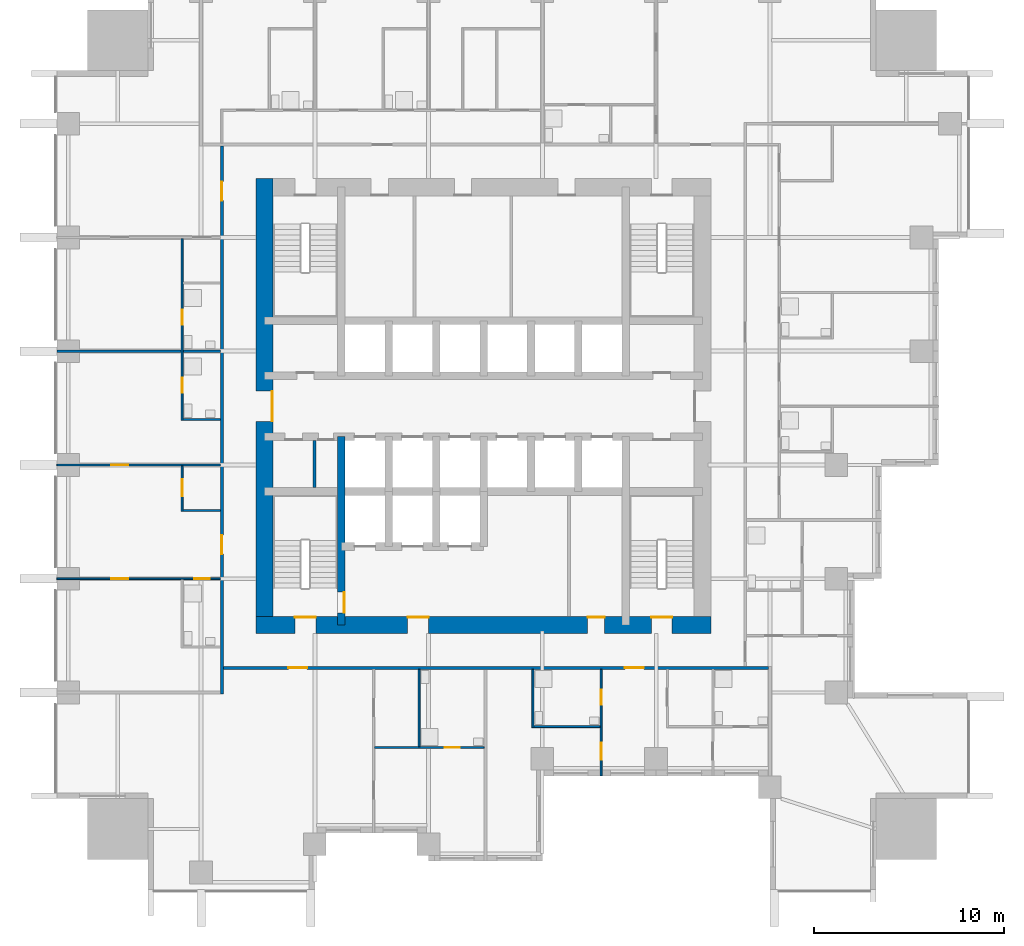
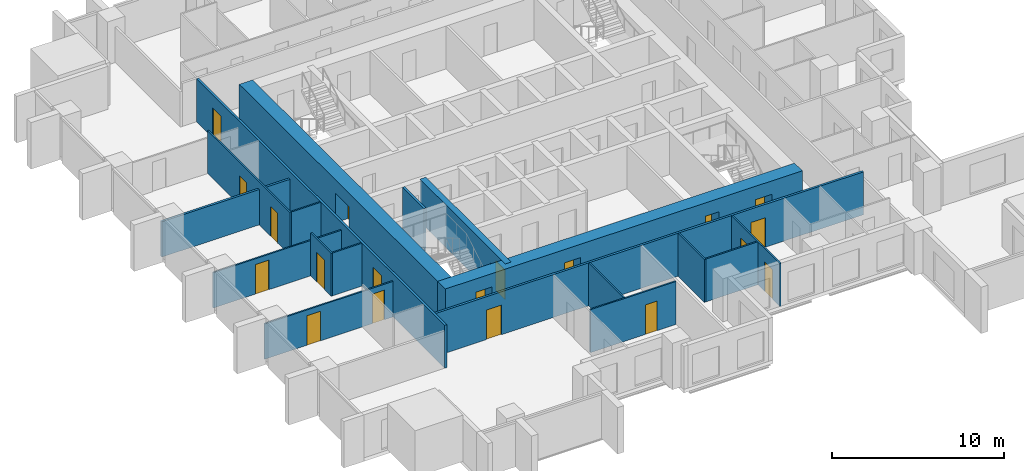
# One storey, part 4 of 10: 19 doors, 18 walls, 19 openings.
"""IFC4 building model written with IfcOpenShell, lengths in metres."""

from ifc_helpers import new_model, si_unit, direction, frame, frame_2d, origin, place, context, subcontext, project, spatial, rectangle, extrude, material, layer, layer_set, type_object, element, fill, save


model = new_model("IFC4")

# Units and contexts
model_context = context("Model", 3, precision=1e-05, world=origin(), true_north=direction((0.0, 1.0)))
body_context = subcontext(model_context, "Body", "Model", "MODEL_VIEW")
ifc_project = project(units=[si_unit("LENGTHUNIT", "METRE"), si_unit("AREAUNIT", "SQUARE_METRE"), si_unit("VOLUMEUNIT", "CUBIC_METRE"), si_unit("PLANEANGLEUNIT", "RADIAN"), si_unit("MASSUNIT", "GRAM", prefix="KILO")], contexts=[model_context])

# Site, building, storey
site_placement = place(None, origin())
site = spatial("IfcSite", under=ifc_project, at=site_placement, CompositionType="ELEMENT")
building_placement = place(site_placement, origin())
building = spatial("IfcBuilding", under=site, at=building_placement, Name="Amberfall Residences", CompositionType="ELEMENT")
storey_placement = place(building_placement, frame((0.0, 0.0, 49.89990234375)))
storey = spatial("IfcBuildingStorey", under=building, at=storey_placement, Name="L13", CompositionType="ELEMENT", Elevation=49.89990234375)

# Wall, opening, door
ifc_material_1 = material(Name="Concrete C80", Category="concrete")
ifc_layer_1 = layer(ifc_material_1, 0.39990234375)
ifc_layer_set_1 = layer_set([ifc_layer_1], Name="Core wall 400 C80")
wall_type_1 = type_object("IfcWallType", Name="Core wall 400 C80", PredefinedType="SHEAR", material=ifc_layer_set_1)
wall_1_placement = place(storey_placement, frame((67.0, 33.949951171875, 0.0), z_axis=(0.0, 0.0, 1.0), x_axis=(0.0, 1.0, 0.0)))
wall_1 = element("IfcWall", 1, at=wall_1_placement, inside=storey, type_object=wall_type_1, Name="Core wall RW2 L13 V45S", PredefinedType="SHEAR", context=body_context, shape_type="SweptSolid", body=[
    extrude(rectangle(XDim=9.949951171875, YDim=0.39990234375, at=frame_2d((4.97509765625, 0.0))), origin(), (0.0, 0.0, 1.0), 3.050048828125),
])
opening_1_placement = place(wall_1_placement, frame((0.64990234375, 0.0, 0.0)))
opening_1 = element("IfcOpeningElement", 2, at=opening_1_placement, cuts=wall_1, Name="Opening FL1", PredefinedType="OPENING", context=body_context, shape_type="SweptSolid", body=[
    extrude(rectangle(XDim=1.10009765625, YDim=2.10009765625, at=frame_2d((0.550048828125, 1.050048828125))), frame((0.0, 0.2099609375, 0.0), z_axis=(0.0, -1.0, 0.0), x_axis=(1.0, 0.0, 0.0)), (0.0, 0.0, 1.0), 0.419921875),
])
ifc_material_2 = material(Name="Steel fire door set", Category="steel")
door_type_1 = type_object("IfcDoorType", Name="Firefighting lobby door 1100 x 2100", OperationType="SINGLE_SWING_LEFT", PredefinedType="DOOR", material=ifc_material_2)
door_1_placement = place(opening_1_placement, origin())
door_1 = element("IfcDoor", 3, at=door_1_placement, inside=storey, type_object=door_type_1, Name="FL1 L13", OperationType="SINGLE_SWING_RIGHT", OverallHeight=2.10009765625, OverallWidth=1.10009765625, PredefinedType="DOOR", context=body_context, shape_type="SweptSolid", body=[
    extrude(rectangle(XDim=1.10009765625, YDim=2.10009765625, at=frame_2d((0.550048828125, 1.050048828125))), frame((0.0, -0.1376953125, 0.0), z_axis=(0.0, -1.0, 0.0), x_axis=(1.0, 0.0, 0.0)), (0.0, 0.0, 1.0), 0.050048828125),
])
fill(opening_1, door_1)

# Wall, openings, doors
ifc_layer_2 = layer(ifc_material_1, 0.89990234375)
ifc_layer_set_2 = layer_set([ifc_layer_2], Name="Core wall 900 C80")
wall_type_2 = type_object("IfcWallType", Name="Core wall 900 C80", PredefinedType="SHEAR", material=ifc_layer_set_2)
wall_2_placement = place(storey_placement, frame((62.5, 33.949951171875, 0.0), z_axis=(0.0, 0.0, 1.0), x_axis=(1.0, 0.0, 0.0)))
wall_2 = element("IfcWall", 4, at=wall_2_placement, inside=storey, type_object=wall_type_2, Name="Core wall RW1 L13 OS", PredefinedType="SHEAR", context=body_context, shape_type="SweptSolid", body=[
    extrude(rectangle(XDim=24.0, YDim=0.89990234375, at=frame_2d((12.0, 0.0))), origin(), (0.0, 0.0, 1.0), 3.050048828125),
])
opening_2_placement = place(wall_2_placement, frame((2.050048828125, 0.0, 0.0)))
opening_2 = element("IfcOpeningElement", 5, at=opening_2_placement, cuts=wall_2, Name="Opening SD1", PredefinedType="OPENING", context=body_context, shape_type="SweptSolid", body=[
    extrude(rectangle(XDim=1.10009765625, YDim=2.10009765625, at=frame_2d((0.550048828125, 1.050048828125))), frame((0.0, 0.4599609375, 0.0), z_axis=(0.0, -1.0, 0.0), x_axis=(1.0, 0.0, 0.0)), (0.0, 0.0, 1.0), 0.919921875),
])
opening_3_placement = place(wall_2_placement, frame((20.85009765625, 0.0, 0.0)))
opening_3 = element("IfcOpeningElement", 6, at=opening_3_placement, cuts=wall_2, Name="Opening SD1", PredefinedType="OPENING", context=body_context, shape_type="SweptSolid", body=[
    extrude(rectangle(XDim=1.10009765625, YDim=2.10009765625, at=frame_2d((0.550048828125, 1.050048828125))), frame((0.0, 0.4599609375, 0.0), z_axis=(0.0, -1.0, 0.0), x_axis=(1.0, 0.0, 0.0)), (0.0, 0.0, 1.0), 0.919921875),
])
opening_4_placement = place(wall_2_placement, frame((8.0, 0.0, 0.0)))
opening_4 = element("IfcOpeningElement", 7, at=opening_4_placement, cuts=wall_2, Name="Opening FL1", PredefinedType="OPENING", context=body_context, shape_type="SweptSolid", body=[
    extrude(rectangle(XDim=1.10009765625, YDim=2.10009765625, at=frame_2d((0.550048828125, 1.050048828125))), frame((0.0, 0.4599609375, 0.0), z_axis=(0.0, -1.0, 0.0), x_axis=(1.0, 0.0, 0.0)), (0.0, 0.0, 1.0), 0.919921875),
])
opening_5_placement = place(wall_2_placement, frame((17.487548828125, 0.0, 0.0)))
opening_5 = element("IfcOpeningElement", 8, at=opening_5_placement, cuts=wall_2, Name="Opening RD1", PredefinedType="OPENING", context=body_context, shape_type="SweptSolid", body=[
    extrude(rectangle(XDim=0.89990234375, YDim=2.10009765625, at=frame_2d((0.449951171875, 1.050048828125))), frame((0.0, 0.4599609375, 0.0), z_axis=(0.0, -1.0, 0.0), x_axis=(1.0, 0.0, 0.0)), (0.0, 0.0, 1.0), 0.919921875),
])
door_2_placement = place(opening_4_placement, origin())
door_2 = element("IfcDoor", 9, at=door_2_placement, inside=storey, type_object=door_type_1, Name="FL1 L13", OperationType="SINGLE_SWING_LEFT", OverallHeight=2.10009765625, OverallWidth=1.10009765625, PredefinedType="DOOR", context=body_context, shape_type="SweptSolid", body=[
    extrude(rectangle(XDim=1.10009765625, YDim=2.10009765625, at=frame_2d((0.550048828125, 1.050048828125))), frame((0.0, 0.4375, 0.0), z_axis=(0.0, -1.0, 0.0), x_axis=(1.0, 0.0, 0.0)), (0.0, 0.0, 1.0), 0.050048828125),
])
fill(opening_4, door_2)
door_type_2 = type_object("IfcDoorType", Name="Service room door 900 x 2100", OperationType="SINGLE_SWING_LEFT", PredefinedType="DOOR", material=ifc_material_2)
door_3_placement = place(opening_5_placement, origin())
door_3 = element("IfcDoor", 10, at=door_3_placement, inside=storey, type_object=door_type_2, Name="RD1 L13", OperationType="SINGLE_SWING_LEFT", OverallHeight=2.10009765625, OverallWidth=0.89990234375, PredefinedType="DOOR", context=body_context, shape_type="SweptSolid", body=[
    extrude(rectangle(XDim=0.89990234375, YDim=2.10009765625, at=frame_2d((0.449951171875, 1.050048828125))), frame((0.0, 0.4375, 0.0), z_axis=(0.0, -1.0, 0.0), x_axis=(1.0, 0.0, 0.0)), (0.0, 0.0, 1.0), 0.050048828125),
])
fill(opening_5, door_3)
door_type_3 = type_object("IfcDoorType", Name="Stair door 1100 x 2100", OperationType="SINGLE_SWING_LEFT", PredefinedType="DOOR", material=ifc_material_2)
door_4_placement = place(opening_2_placement, origin())
door_4 = element("IfcDoor", 11, at=door_4_placement, inside=storey, type_object=door_type_3, Name="SD1 L13", OperationType="SINGLE_SWING_LEFT", OverallHeight=2.10009765625, OverallWidth=1.10009765625, PredefinedType="DOOR", context=body_context, shape_type="SweptSolid", body=[
    extrude(rectangle(XDim=1.10009765625, YDim=2.10009765625, at=frame_2d((0.550048828125, 1.050048828125))), frame((0.0, 0.4375, 0.0), z_axis=(0.0, -1.0, 0.0), x_axis=(1.0, 0.0, 0.0)), (0.0, 0.0, 1.0), 0.050048828125),
])
fill(opening_2, door_4)
door_5_placement = place(opening_3_placement, origin())
door_5 = element("IfcDoor", 12, at=door_5_placement, inside=storey, type_object=door_type_3, Name="SD1 L13", OperationType="SINGLE_SWING_RIGHT", OverallHeight=2.10009765625, OverallWidth=1.10009765625, PredefinedType="DOOR", context=body_context, shape_type="SweptSolid", body=[
    extrude(rectangle(XDim=1.10009765625, YDim=2.10009765625, at=frame_2d((0.550048828125, 1.050048828125))), frame((0.0, 0.4375, 0.0), z_axis=(0.0, -1.0, 0.0), x_axis=(1.0, 0.0, 0.0)), (0.0, 0.0, 1.0), 0.050048828125),
])
fill(opening_3, door_5)

# Wall, opening, door
wall_3_placement = place(storey_placement, frame((62.949951171875, 33.5, 0.0), z_axis=(0.0, 0.0, 1.0), x_axis=(0.0, 1.0, 0.0)))
wall_3 = element("IfcWall", 13, at=wall_3_placement, inside=storey, type_object=wall_type_2, Name="Core wall RW1 L13 OW", PredefinedType="SHEAR", context=body_context, shape_type="SweptSolid", body=[
    extrude(rectangle(XDim=24.0, YDim=0.89990234375, at=frame_2d((12.0, 0.0))), origin(), (0.0, 0.0, 1.0), 3.050048828125),
])
opening_6_placement = place(wall_3_placement, frame((11.199951171875, 0.0, 0.0)))
opening_6 = element("IfcOpeningElement", 14, at=opening_6_placement, cuts=wall_3, Name="Opening LB1", PredefinedType="OPENING", context=body_context, shape_type="SweptSolid", body=[
    extrude(rectangle(XDim=1.60009765625, YDim=2.10009765625, at=frame_2d((0.800048828125, 1.050048828125))), frame((0.0, 0.4599609375, 0.0), z_axis=(0.0, -1.0, 0.0), x_axis=(1.0, 0.0, 0.0)), (0.0, 0.0, 1.0), 0.919921875),
])
door_type_4 = type_object("IfcDoorType", Name="Lift lobby double door 1600 x 2100", OperationType="DOUBLE_DOOR_SINGLE_SWING", PredefinedType="DOOR", material=ifc_material_2)
door_6_placement = place(opening_6_placement, origin())
door_6 = element("IfcDoor", 15, at=door_6_placement, inside=storey, type_object=door_type_4, Name="LB1 L13", OperationType="DOUBLE_DOOR_SINGLE_SWING", OverallHeight=2.10009765625, OverallWidth=1.60009765625, PredefinedType="DOOR", context=body_context, shape_type="SweptSolid", body=[
    extrude(rectangle(XDim=1.60009765625, YDim=2.10009765625, at=frame_2d((0.800048828125, 1.050048828125))), frame((0.0, -0.3876953125, 0.0), z_axis=(0.0, -1.0, 0.0), x_axis=(1.0, 0.0, 0.0)), (0.0, 0.0, 1.0), 0.050048828125),
])
fill(opening_6, door_6)

ifc_material_3 = material(Name="Gypsum board on metal stud")
ifc_layer_3 = layer(ifc_material_3, 0.10009765625)
ifc_layer_set_3 = layer_set([ifc_layer_3], Name="Flat partition 100")
wall_type_3 = type_object("IfcWallType", Name="Flat partition 100", PredefinedType="PARTITIONING", material=ifc_layer_set_3)
wall_4_placement = place(storey_placement, frame((58.60009765625, 42.35009765625, 0.0), z_axis=(0.0, 0.0, 1.0), x_axis=(0.0, -1.0, 0.0)))
wall_4 = element("IfcWall", 16, at=wall_4_placement, inside=storey, type_object=wall_type_3, Name="Partition 002", PredefinedType="PARTITIONING", context=body_context, shape_type="SweptSolid", body=[
    extrude(rectangle(XDim=2.400146484375, YDim=0.10009765625, at=frame_2d((1.2001953125, 0.0))), origin(), (0.0, 0.0, 1.0), 3.050048828125),
])
opening_7_placement = place(wall_4_placement, frame((0.699951171875, 0.0, 0.0)))
opening_7 = element("IfcOpeningElement", 17, at=opening_7_placement, cuts=wall_4, Name="Opening D41", PredefinedType="OPENING", context=body_context, shape_type="SweptSolid", body=[
    extrude(rectangle(XDim=0.89990234375, YDim=2.10009765625, at=frame_2d((0.449951171875, 1.050048828125))), frame((0.0, 0.06005859375, 0.0), z_axis=(0.0, -1.0, 0.0), x_axis=(1.0, 0.0, 0.0)), (0.0, 0.0, 1.0), 0.1201171875),
])
ifc_material_4 = material(Name="Timber", Category="wood")
door_type_5 = type_object("IfcDoorType", Name="Internal door 900 x 2100", OperationType="SINGLE_SWING_LEFT", PredefinedType="DOOR", material=ifc_material_4)
door_7_placement = place(opening_7_placement, origin())
door_7 = element("IfcDoor", 18, at=door_7_placement, inside=storey, type_object=door_type_5, Name="Door 1307 kitchen", OperationType="SINGLE_SWING_LEFT", OverallHeight=2.10009765625, OverallWidth=0.89990234375, PredefinedType="DOOR", context=body_context, shape_type="SweptSolid", body=[
    extrude(rectangle(XDim=0.89990234375, YDim=2.10009765625, at=frame_2d((0.449951171875, 1.050048828125))), frame((0.0, 0.02490234375, 0.0), z_axis=(0.0, -1.0, 0.0), x_axis=(1.0, 0.0, 0.0)), (0.0, 0.0, 1.0), 0.050048828125),
])
fill(opening_7, door_7)

# Wall, openings, doors
wall_5_placement = place(storey_placement, frame((58.60009765625, 54.35009765625, 0.0), z_axis=(0.0, 0.0, 1.0), x_axis=(0.0, -1.0, 0.0)))
wall_5 = element("IfcWall", 19, at=wall_5_placement, inside=storey, type_object=wall_type_3, Name="Partition 003", PredefinedType="PARTITIONING", context=body_context, shape_type="SweptSolid", body=[
    extrude(rectangle(XDim=9.60009765625, YDim=0.10009765625, at=frame_2d((4.800048828125, 0.0))), origin(), (0.0, 0.0, 1.0), 3.050048828125),
])
opening_8_placement = place(wall_5_placement, frame((7.35009765625, 0.0, 0.0)))
opening_8 = element("IfcOpeningElement", 20, at=opening_8_placement, cuts=wall_5, Name="Opening D42", PredefinedType="OPENING", context=body_context, shape_type="SweptSolid", body=[
    extrude(rectangle(XDim=0.800048828125, YDim=2.10009765625, at=frame_2d((0.39990234375, 1.050048828125))), frame((0.0, 0.06005859375, 0.0), z_axis=(0.0, -1.0, 0.0), x_axis=(1.0, 0.0, 0.0)), (0.0, 0.0, 1.0), 0.1201171875),
])
opening_9_placement = place(wall_5_placement, frame((3.75, 0.0, 0.0)))
opening_9 = element("IfcOpeningElement", 21, at=opening_9_placement, cuts=wall_5, Name="Opening D42", PredefinedType="OPENING", context=body_context, shape_type="SweptSolid", body=[
    extrude(rectangle(XDim=0.800048828125, YDim=2.10009765625, at=frame_2d((0.39990234375, 1.050048828125))), frame((0.0, 0.06005859375, 0.0), z_axis=(0.0, -1.0, 0.0), x_axis=(1.0, 0.0, 0.0)), (0.0, 0.0, 1.0), 0.1201171875),
])
door_type_6 = type_object("IfcDoorType", Name="Bathroom door 800 x 2100", OperationType="SINGLE_SWING_LEFT", PredefinedType="DOOR", material=ifc_material_4)
door_8_placement = place(opening_8_placement, origin())
door_8 = element("IfcDoor", 22, at=door_8_placement, inside=storey, type_object=door_type_6, Name="Door 1307 bath2", OperationType="SINGLE_SWING_LEFT", OverallHeight=2.10009765625, OverallWidth=0.800048828125, PredefinedType="DOOR", context=body_context, shape_type="SweptSolid", body=[
    extrude(rectangle(XDim=0.800048828125, YDim=2.10009765625, at=frame_2d((0.39990234375, 1.050048828125))), frame((0.0, 0.02490234375, 0.0), z_axis=(0.0, -1.0, 0.0), x_axis=(1.0, 0.0, 0.0)), (0.0, 0.0, 1.0), 0.050048828125),
])
fill(opening_8, door_8)
door_9_placement = place(opening_9_placement, origin())
door_9 = element("IfcDoor", 23, at=door_9_placement, inside=storey, type_object=door_type_6, Name="Door 1308 bath1", OperationType="SINGLE_SWING_LEFT", OverallHeight=2.10009765625, OverallWidth=0.800048828125, PredefinedType="DOOR", context=body_context, shape_type="SweptSolid", body=[
    extrude(rectangle(XDim=0.800048828125, YDim=2.10009765625, at=frame_2d((0.39990234375, 1.050048828125))), frame((0.0, 0.02490234375, 0.0), z_axis=(0.0, -1.0, 0.0), x_axis=(1.0, 0.0, 0.0)), (0.0, 0.0, 1.0), 0.050048828125),
])
fill(opening_9, door_9)

# Walls
wall_6_placement = place(storey_placement, frame((71.10009765625, 27.550048828125, 0.0), z_axis=(0.0, 0.0, 1.0), x_axis=(0.0, 1.0, 0.0)))
element("IfcWall", 24, at=wall_6_placement, inside=storey, type_object=wall_type_3, Name="Partition 009", PredefinedType="PARTITIONING", context=body_context, shape_type="SweptSolid", body=[
    extrude(rectangle(XDim=4.074951171875, YDim=0.10009765625, at=frame_2d((2.03759765625, 0.0))), origin(), (0.0, 0.0, 1.0), 3.050048828125),
])
wall_7_placement = place(storey_placement, frame((77.10009765625, 28.550048828125, 0.0), z_axis=(0.0, 0.0, 1.0), x_axis=(0.0, 1.0, 0.0)))
element("IfcWall", 25, at=wall_7_placement, inside=storey, type_object=wall_type_3, Name="Partition 013", PredefinedType="PARTITIONING", context=body_context, shape_type="SweptSolid", body=[
    extrude(rectangle(XDim=3.074951171875, YDim=0.10009765625, at=frame_2d((1.53759765625, 0.0))), origin(), (0.0, 0.0, 1.0), 3.050048828125),
])

# Wall, openings, doors
wall_8_placement = place(storey_placement, frame((80.699951171875, 26.0, 0.0), z_axis=(0.0, 0.0, 1.0), x_axis=(0.0, 1.0, 0.0)))
wall_8 = element("IfcWall", 26, at=wall_8_placement, inside=storey, type_object=wall_type_3, Name="Partition 014", PredefinedType="PARTITIONING", context=body_context, shape_type="SweptSolid", body=[
    extrude(rectangle(XDim=5.625, YDim=0.10009765625, at=frame_2d((2.8125, 0.0))), origin(), (0.0, 0.0, 1.0), 3.050048828125),
])
opening_10_placement = place(wall_8_placement, frame((0.85009765625, 0.0, 0.0)))
opening_10 = element("IfcOpeningElement", 27, at=opening_10_placement, cuts=wall_8, Name="Opening D41", PredefinedType="OPENING", context=body_context, shape_type="SweptSolid", body=[
    extrude(rectangle(XDim=0.89990234375, YDim=2.10009765625, at=frame_2d((0.449951171875, 1.050048828125))), frame((0.0, 0.06005859375, 0.0), z_axis=(0.0, -1.0, 0.0), x_axis=(1.0, 0.0, 0.0)), (0.0, 0.0, 1.0), 0.1201171875),
])
opening_11_placement = place(wall_8_placement, frame((3.75, 0.0, 0.0)))
opening_11 = element("IfcOpeningElement", 28, at=opening_11_placement, cuts=wall_8, Name="Opening D42", PredefinedType="OPENING", context=body_context, shape_type="SweptSolid", body=[
    extrude(rectangle(XDim=0.800048828125, YDim=2.10009765625, at=frame_2d((0.39990234375, 1.050048828125))), frame((0.0, 0.06005859375, 0.0), z_axis=(0.0, -1.0, 0.0), x_axis=(1.0, 0.0, 0.0)), (0.0, 0.0, 1.0), 0.1201171875),
])
door_10_placement = place(opening_11_placement, origin())
door_10 = element("IfcDoor", 29, at=door_10_placement, inside=storey, type_object=door_type_6, Name="Door 1302 bath1", OperationType="SINGLE_SWING_LEFT", OverallHeight=2.10009765625, OverallWidth=0.800048828125, PredefinedType="DOOR", context=body_context, shape_type="SweptSolid", body=[
    extrude(rectangle(XDim=0.800048828125, YDim=2.10009765625, at=frame_2d((0.39990234375, 1.050048828125))), frame((0.0, 0.02490234375, 0.0), z_axis=(0.0, -1.0, 0.0), x_axis=(1.0, 0.0, 0.0)), (0.0, 0.0, 1.0), 0.050048828125),
])
fill(opening_11, door_10)
door_11_placement = place(opening_10_placement, origin())
door_11 = element("IfcDoor", 30, at=door_11_placement, inside=storey, type_object=door_type_5, Name="Door 1302 bedroom1", OperationType="SINGLE_SWING_LEFT", OverallHeight=2.10009765625, OverallWidth=0.89990234375, PredefinedType="DOOR", context=body_context, shape_type="SweptSolid", body=[
    extrude(rectangle(XDim=0.89990234375, YDim=2.10009765625, at=frame_2d((0.449951171875, 1.050048828125))), frame((0.0, 0.02490234375, 0.0), z_axis=(0.0, -1.0, 0.0), x_axis=(1.0, 0.0, 0.0)), (0.0, 0.0, 1.0), 0.050048828125),
])
fill(opening_10, door_11)

# Wall
wall_9_placement = place(storey_placement, frame((58.64990234375, 44.800048828125, 0.0), z_axis=(0.0, 0.0, 1.0), x_axis=(1.0, 0.0, 0.0)))
element("IfcWall", 31, at=wall_9_placement, inside=storey, type_object=wall_type_3, Name="Partition 036", PredefinedType="PARTITIONING", context=body_context, shape_type="SweptSolid", body=[
    extrude(rectangle(XDim=1.97509765625, YDim=0.10009765625, at=frame_2d((0.987548828125, 0.0))), origin(), (0.0, 0.0, 1.0), 3.050048828125),
])

# Wall, opening, door
wall_10_placement = place(storey_placement, frame((52.0, 42.39990234375, 0.0), z_axis=(0.0, 0.0, 1.0), x_axis=(1.0, 0.0, 0.0)))
wall_10 = element("IfcWall", 32, at=wall_10_placement, inside=storey, type_object=wall_type_3, Name="Partition 038", PredefinedType="PARTITIONING", context=body_context, shape_type="SweptSolid", body=[
    extrude(rectangle(XDim=8.625, YDim=0.10009765625, at=frame_2d((4.3125, 0.0))), origin(), (0.0, 0.0, 1.0), 2.51611328125),
])
opening_12_placement = place(wall_10_placement, frame((2.85009765625, 0.0, 0.0)))
opening_12 = element("IfcOpeningElement", 33, at=opening_12_placement, cuts=wall_10, Name="Opening D41", PredefinedType="OPENING", context=body_context, shape_type="SweptSolid", body=[
    extrude(rectangle(XDim=0.89990234375, YDim=2.10009765625, at=frame_2d((0.449951171875, 1.050048828125))), frame((0.0, 0.06005859375, 0.0), z_axis=(0.0, -1.0, 0.0), x_axis=(1.0, 0.0, 0.0)), (0.0, 0.0, 1.0), 0.1201171875),
])
door_12_placement = place(opening_12_placement, origin())
door_12 = element("IfcDoor", 34, at=door_12_placement, inside=storey, type_object=door_type_5, Name="Door 1307 bedroom2", OperationType="SINGLE_SWING_LEFT", OverallHeight=2.10009765625, OverallWidth=0.89990234375, PredefinedType="DOOR", context=body_context, shape_type="SweptSolid", body=[
    extrude(rectangle(XDim=0.89990234375, YDim=2.10009765625, at=frame_2d((0.449951171875, 1.050048828125))), frame((0.0, 0.02490234375, 0.0), z_axis=(0.0, -1.0, 0.0), x_axis=(1.0, 0.0, 0.0)), (0.0, 0.0, 1.0), 0.050048828125),
])
fill(opening_12, door_12)

# Wall
wall_11_placement = place(storey_placement, frame((58.64990234375, 40.0, 0.0), z_axis=(0.0, 0.0, 1.0), x_axis=(1.0, 0.0, 0.0)))
element("IfcWall", 35, at=wall_11_placement, inside=storey, type_object=wall_type_3, Name="Partition 039", PredefinedType="PARTITIONING", context=body_context, shape_type="SweptSolid", body=[
    extrude(rectangle(XDim=1.97509765625, YDim=0.10009765625, at=frame_2d((0.987548828125, 0.0))), origin(), (0.0, 0.0, 1.0), 3.050048828125),
])

# Wall, openings, doors
wall_12_placement = place(storey_placement, frame((60.625, 36.39990234375, 0.0), z_axis=(0.0, 0.0, 1.0), x_axis=(-1.0, 0.0, 0.0)))
wall_12 = element("IfcWall", 36, at=wall_12_placement, inside=storey, type_object=wall_type_3, Name="Partition 040", PredefinedType="PARTITIONING", context=body_context, shape_type="SweptSolid", body=[
    extrude(rectangle(XDim=8.625, YDim=0.10009765625, at=frame_2d((4.3125, 0.0))), origin(), (0.0, 0.0, 1.0), 2.51611328125),
])
opening_13_placement = place(wall_12_placement, frame((4.875, 0.0, 0.0)))
opening_13 = element("IfcOpeningElement", 37, at=opening_13_placement, cuts=wall_12, Name="Opening D41", PredefinedType="OPENING", context=body_context, shape_type="SweptSolid", body=[
    extrude(rectangle(XDim=0.89990234375, YDim=2.10009765625, at=frame_2d((0.449951171875, 1.050048828125))), frame((0.0, 0.06005859375, 0.0), z_axis=(0.0, -1.0, 0.0), x_axis=(1.0, 0.0, 0.0)), (0.0, 0.0, 1.0), 0.1201171875),
])
opening_14_placement = place(wall_12_placement, frame((0.574951171875, 0.0, 0.0)))
opening_14 = element("IfcOpeningElement", 38, at=opening_14_placement, cuts=wall_12, Name="Opening D42", PredefinedType="OPENING", context=body_context, shape_type="SweptSolid", body=[
    extrude(rectangle(XDim=0.800048828125, YDim=2.10009765625, at=frame_2d((0.39990234375, 1.050048828125))), frame((0.0, 0.06005859375, 0.0), z_axis=(0.0, -1.0, 0.0), x_axis=(1.0, 0.0, 0.0)), (0.0, 0.0, 1.0), 0.1201171875),
])
door_13_placement = place(opening_14_placement, origin())
door_13 = element("IfcDoor", 39, at=door_13_placement, inside=storey, type_object=door_type_6, Name="Door 1307 bath1", OperationType="SINGLE_SWING_LEFT", OverallHeight=2.10009765625, OverallWidth=0.800048828125, PredefinedType="DOOR", context=body_context, shape_type="SweptSolid", body=[
    extrude(rectangle(XDim=0.800048828125, YDim=2.10009765625, at=frame_2d((0.39990234375, 1.050048828125))), frame((0.0, 0.02490234375, 0.0), z_axis=(0.0, -1.0, 0.0), x_axis=(1.0, 0.0, 0.0)), (0.0, 0.0, 1.0), 0.050048828125),
])
fill(opening_14, door_13)
door_14_placement = place(opening_13_placement, origin())
door_14 = element("IfcDoor", 40, at=door_14_placement, inside=storey, type_object=door_type_5, Name="Door 1307 bedroom1", OperationType="SINGLE_SWING_LEFT", OverallHeight=2.10009765625, OverallWidth=0.89990234375, PredefinedType="DOOR", context=body_context, shape_type="SweptSolid", body=[
    extrude(rectangle(XDim=0.89990234375, YDim=2.10009765625, at=frame_2d((0.449951171875, 1.050048828125))), frame((0.0, 0.02490234375, 0.0), z_axis=(0.0, -1.0, 0.0), x_axis=(1.0, 0.0, 0.0)), (0.0, 0.0, 1.0), 0.050048828125),
])
fill(opening_13, door_14)

# Wall
wall_13_placement = place(storey_placement, frame((77.14990234375, 28.60009765625, 0.0), z_axis=(0.0, 0.0, 1.0), x_axis=(1.0, 0.0, 0.0)))
element("IfcWall", 41, at=wall_13_placement, inside=storey, type_object=wall_type_3, Name="Partition 044", PredefinedType="PARTITIONING", context=body_context, shape_type="SweptSolid", body=[
    extrude(rectangle(XDim=3.5, YDim=0.10009765625, at=frame_2d((1.75, 0.0))), origin(), (0.0, 0.0, 1.0), 3.050048828125),
])

# Wall, opening, door
wall_14_placement = place(storey_placement, frame((68.75, 27.5, 0.0), z_axis=(0.0, 0.0, 1.0), x_axis=(1.0, 0.0, 0.0)))
wall_14 = element("IfcWall", 42, at=wall_14_placement, inside=storey, type_object=wall_type_3, Name="Partition 046", PredefinedType="PARTITIONING", context=body_context, shape_type="SweptSolid", body=[
    extrude(rectangle(XDim=5.77490234375, YDim=0.10009765625, at=frame_2d((2.887451171875, 0.0))), origin(), (0.0, 0.0, 1.0), 3.050048828125),
])
opening_15_placement = place(wall_14_placement, frame((3.699951171875, 0.0, 0.0)))
opening_15 = element("IfcOpeningElement", 43, at=opening_15_placement, cuts=wall_14, Name="Opening D42", PredefinedType="OPENING", context=body_context, shape_type="SweptSolid", body=[
    extrude(rectangle(XDim=0.800048828125, YDim=2.10009765625, at=frame_2d((0.39990234375, 1.050048828125))), frame((0.0, 0.06005859375, 0.0), z_axis=(0.0, -1.0, 0.0), x_axis=(1.0, 0.0, 0.0)), (0.0, 0.0, 1.0), 0.1201171875),
])
door_15_placement = place(opening_15_placement, origin())
door_15 = element("IfcDoor", 44, at=door_15_placement, inside=storey, type_object=door_type_6, Name="Door 1301 bath1", OperationType="SINGLE_SWING_LEFT", OverallHeight=2.10009765625, OverallWidth=0.800048828125, PredefinedType="DOOR", context=body_context, shape_type="SweptSolid", body=[
    extrude(rectangle(XDim=0.800048828125, YDim=2.10009765625, at=frame_2d((0.39990234375, 1.050048828125))), frame((0.0, 0.02490234375, 0.0), z_axis=(0.0, -1.0, 0.0), x_axis=(1.0, 0.0, 0.0)), (0.0, 0.0, 1.0), 0.050048828125),
])
fill(opening_15, door_15)

# Wall, openings, doors
ifc_material_5 = material(Name="Blockwork, plastered", Category="masonry")
ifc_layer_4 = layer(ifc_material_5, 0.14990234375)
ifc_layer_set_4 = layer_set([ifc_layer_4], Name="Flat separating wall 150")
wall_type_4 = type_object("IfcWallType", Name="Flat separating wall 150", PredefinedType="PARTITIONING", material=ifc_layer_set_4)
wall_15_placement = place(storey_placement, frame((60.699951171875, 30.324951171875, 0.0), z_axis=(0.0, 0.0, 1.0), x_axis=(0.0, 1.0, 0.0)))
wall_15 = element("IfcWall", 45, at=wall_15_placement, inside=storey, type_object=wall_type_4, Name="Separating wall 048", PredefinedType="PARTITIONING", context=body_context, shape_type="SweptSolid", body=[
    extrude(rectangle(XDim=28.900146484375, YDim=0.14990234375, at=frame_2d((14.4501953125, 0.0))), origin(), (0.0, 0.0, 1.0), 3.050048828125),
])
opening_16_placement = place(wall_15_placement, frame((7.375, 0.0, 0.0)))
opening_16 = element("IfcOpeningElement", 46, at=opening_16_placement, cuts=wall_15, Name="Opening D40", PredefinedType="OPENING", context=body_context, shape_type="SweptSolid", body=[
    extrude(rectangle(XDim=1.0, YDim=2.10009765625, at=frame_2d((0.5, 1.050048828125))), frame((0.0, 0.0849609375, 0.0), z_axis=(0.0, -1.0, 0.0), x_axis=(1.0, 0.0, 0.0)), (0.0, 0.0, 1.0), 0.169921875),
])
opening_17_placement = place(wall_15_placement, frame((26.02490234375, 0.0, 0.0)))
opening_17 = element("IfcOpeningElement", 47, at=opening_17_placement, cuts=wall_15, Name="Opening D40", PredefinedType="OPENING", context=body_context, shape_type="SweptSolid", body=[
    extrude(rectangle(XDim=1.0, YDim=2.10009765625, at=frame_2d((0.5, 1.050048828125))), frame((0.0, 0.0849609375, 0.0), z_axis=(0.0, -1.0, 0.0), x_axis=(1.0, 0.0, 0.0)), (0.0, 0.0, 1.0), 0.169921875),
])
ifc_material_6 = material(Name="Timber, fire-rated", Category="wood")
door_type_7 = type_object("IfcDoorType", Name="Flat entrance door FD60 1000 x 2100", OperationType="SINGLE_SWING_LEFT", PredefinedType="DOOR", material=ifc_material_6)
door_16_placement = place(opening_16_placement, origin())
door_16 = element("IfcDoor", 48, at=door_16_placement, inside=storey, type_object=door_type_7, Name="Door 1307 entrance", OperationType="SINGLE_SWING_LEFT", OverallHeight=2.10009765625, OverallWidth=1.0, PredefinedType="DOOR", context=body_context, shape_type="SweptSolid", body=[
    extrude(rectangle(XDim=1.0, YDim=2.10009765625, at=frame_2d((0.5, 1.050048828125))), frame((0.0, 0.02490234375, 0.0), z_axis=(0.0, -1.0, 0.0), x_axis=(1.0, 0.0, 0.0)), (0.0, 0.0, 1.0), 0.050048828125),
])
fill(opening_16, door_16)
door_17_placement = place(opening_17_placement, origin())
door_17 = element("IfcDoor", 49, at=door_17_placement, inside=storey, type_object=door_type_7, Name="Door 1308 entrance", OperationType="SINGLE_SWING_LEFT", OverallHeight=2.10009765625, OverallWidth=1.0, PredefinedType="DOOR", context=body_context, shape_type="SweptSolid", body=[
    extrude(rectangle(XDim=1.0, YDim=2.10009765625, at=frame_2d((0.5, 1.050048828125))), frame((0.0, 0.02490234375, 0.0), z_axis=(0.0, -1.0, 0.0), x_axis=(1.0, 0.0, 0.0)), (0.0, 0.0, 1.0), 0.050048828125),
])
fill(opening_17, door_17)

# Wall
wall_16_placement = place(storey_placement, frame((52.0, 48.39990234375, 0.0), z_axis=(0.0, 0.0, 1.0), x_axis=(1.0, 0.0, 0.0)))
element("IfcWall", 50, at=wall_16_placement, inside=storey, type_object=wall_type_4, Name="Separating wall 055", PredefinedType="PARTITIONING", context=body_context, shape_type="SweptSolid", body=[
    extrude(rectangle(XDim=8.625, YDim=0.14990234375, at=frame_2d((4.3125, 0.0))), origin(), (0.0, 0.0, 1.0), 2.51611328125),
])

# Wall, openings, doors
wall_17_placement = place(storey_placement, frame((89.52490234375, 31.699951171875, 0.0), z_axis=(0.0, 0.0, 1.0), x_axis=(-1.0, 0.0, 0.0)))
wall_17 = element("IfcWall", 51, at=wall_17_placement, inside=storey, type_object=wall_type_4, Name="Separating wall 057", PredefinedType="PARTITIONING", context=body_context, shape_type="SweptSolid", body=[
    extrude(rectangle(XDim=28.75, YDim=0.14990234375, at=frame_2d((14.375, 0.0))), origin(), (0.0, 0.0, 1.0), 3.050048828125),
])
opening_18_placement = place(wall_17_placement, frame((24.324951171875, 0.0, 0.0)))
opening_18 = element("IfcOpeningElement", 52, at=opening_18_placement, cuts=wall_17, Name="Opening D40", PredefinedType="OPENING", context=body_context, shape_type="SweptSolid", body=[
    extrude(rectangle(XDim=1.0, YDim=2.10009765625, at=frame_2d((0.5, 1.050048828125))), frame((0.0, 0.0849609375, 0.0), z_axis=(0.0, -1.0, 0.0), x_axis=(1.0, 0.0, 0.0)), (0.0, 0.0, 1.0), 0.169921875),
])
opening_19_placement = place(wall_17_placement, frame((6.574951171875, 0.0, 0.0)))
opening_19 = element("IfcOpeningElement", 53, at=opening_19_placement, cuts=wall_17, Name="Opening D40", PredefinedType="OPENING", context=body_context, shape_type="SweptSolid", body=[
    extrude(rectangle(XDim=1.0, YDim=2.10009765625, at=frame_2d((0.5, 1.050048828125))), frame((0.0, 0.0849609375, 0.0), z_axis=(0.0, -1.0, 0.0), x_axis=(1.0, 0.0, 0.0)), (0.0, 0.0, 1.0), 0.169921875),
])
door_18_placement = place(opening_18_placement, origin())
door_18 = element("IfcDoor", 54, at=door_18_placement, inside=storey, type_object=door_type_7, Name="Door 1301 entrance", OperationType="SINGLE_SWING_LEFT", OverallHeight=2.10009765625, OverallWidth=1.0, PredefinedType="DOOR", context=body_context, shape_type="SweptSolid", body=[
    extrude(rectangle(XDim=1.0, YDim=2.10009765625, at=frame_2d((0.5, 1.050048828125))), frame((0.0, 0.02490234375, 0.0), z_axis=(0.0, -1.0, 0.0), x_axis=(1.0, 0.0, 0.0)), (0.0, 0.0, 1.0), 0.050048828125),
])
fill(opening_18, door_18)
door_19_placement = place(opening_19_placement, origin())
door_19 = element("IfcDoor", 55, at=door_19_placement, inside=storey, type_object=door_type_7, Name="Door 1302 entrance", OperationType="SINGLE_SWING_LEFT", OverallHeight=2.10009765625, OverallWidth=1.0, PredefinedType="DOOR", context=body_context, shape_type="SweptSolid", body=[
    extrude(rectangle(XDim=1.0, YDim=2.10009765625, at=frame_2d((0.5, 1.050048828125))), frame((0.0, 0.02490234375, 0.0), z_axis=(0.0, -1.0, 0.0), x_axis=(1.0, 0.0, 0.0)), (0.0, 0.0, 1.0), 0.050048828125),
])
fill(opening_19, door_19)

# Wall
ifc_material_7 = material(Name="Concrete blockwork", Category="masonry")
ifc_layer_5 = layer(ifc_material_7, 0.14990234375)
ifc_layer_set_5 = layer_set([ifc_layer_5], Name="Riser wall 150")
wall_type_5 = type_object("IfcWallType", Name="Riser wall 150", PredefinedType="PLUMBINGWALL", material=ifc_layer_set_5)
wall_18_placement = place(storey_placement, frame((65.575927734375, 41.199951171875, 0.0), z_axis=(0.0, 0.0, 1.0), x_axis=(0.0, 1.0, 0.0)))
element("IfcWall", 56, at=wall_18_placement, inside=storey, type_object=wall_type_5, Name="L13 core wall ASW0", PredefinedType="PLUMBINGWALL", context=body_context, shape_type="SweptSolid", body=[
    extrude(rectangle(XDim=2.5, YDim=0.14990234375, at=frame_2d((1.25, 0.0))), origin(), (0.0, 0.0, 1.0), 3.050048828125),
])

save(model, "model.ifc")
